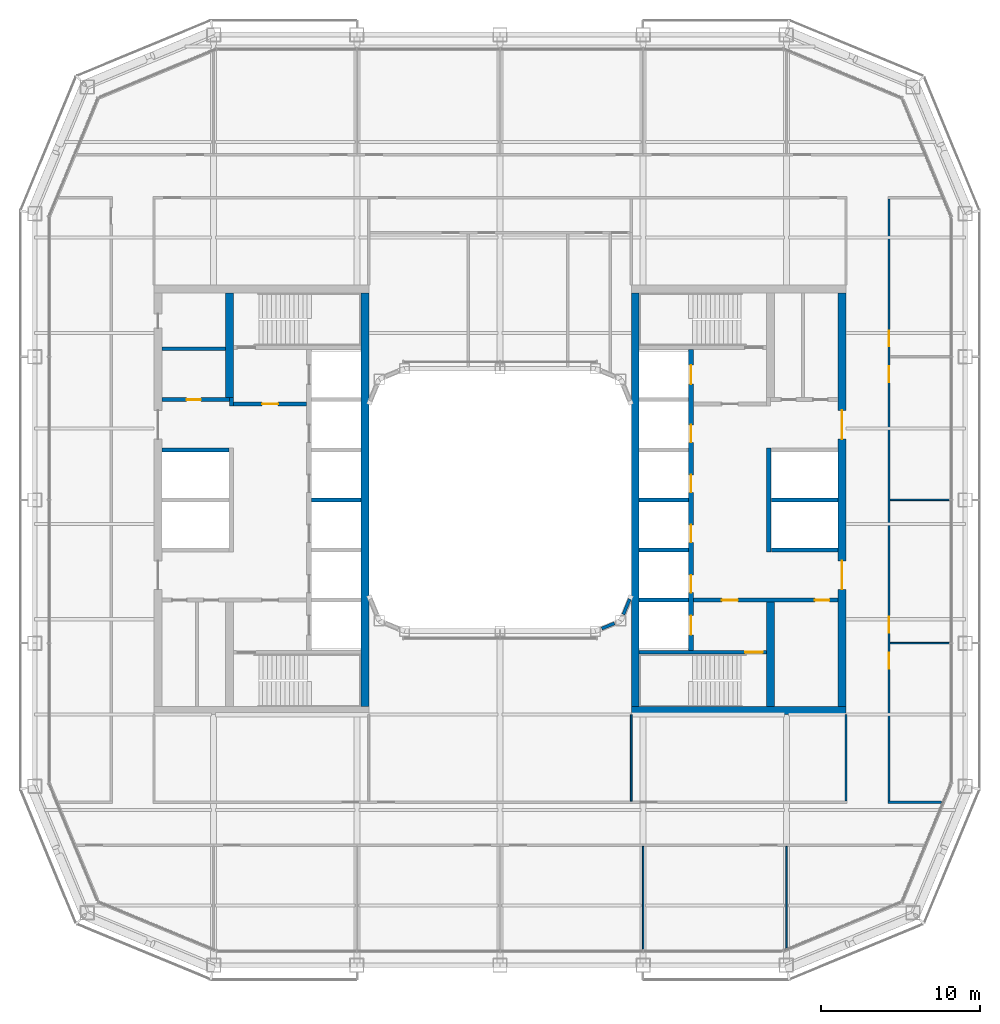
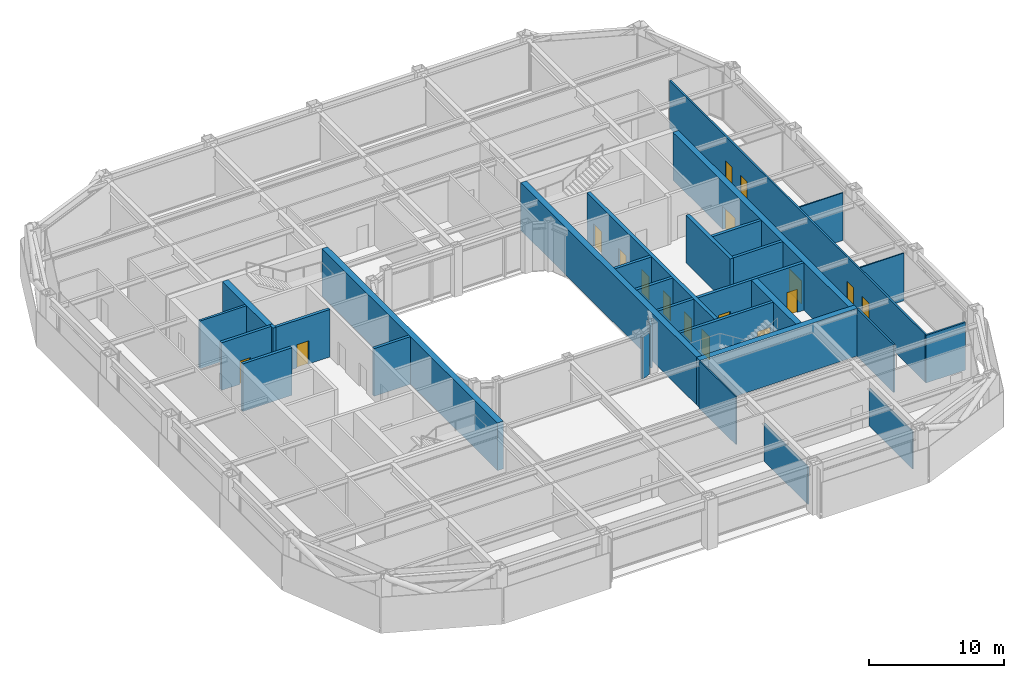
# One storey, part 12 of 21: 31 walls, 17 doors, 17 openings.
"""IFC4 building model written with IfcOpenShell, lengths in metres."""

from ifc_helpers import new_model, si_unit, direction, frame, frame_2d, origin, place, context, subcontext, project, spatial, rectangle, extrude, material, layer, layer_set, type_object, element, fill, save


model = new_model("IFC4")

# Units and contexts
model_context = context("Model", 3, precision=1e-05, world=origin(), true_north=direction((0.0, 1.0)))
body_context = subcontext(model_context, "Body", "Model", "MODEL_VIEW")
ifc_project = project(units=[si_unit("LENGTHUNIT", "METRE"), si_unit("AREAUNIT", "SQUARE_METRE"), si_unit("VOLUMEUNIT", "CUBIC_METRE"), si_unit("PLANEANGLEUNIT", "RADIAN"), si_unit("MASSUNIT", "GRAM", prefix="KILO")], contexts=[model_context])

# Site, building, storey
site_placement = place(None, origin())
site = spatial("IfcSite", under=ifc_project, at=site_placement, CompositionType="ELEMENT")
building_placement = place(site_placement, origin())
building = spatial("IfcBuilding", under=site, at=building_placement, Name="Siwar Civic Tower", CompositionType="ELEMENT")
storey_placement = place(building_placement, frame((0.0, 0.0, 176.699951171875)))
storey = spatial("IfcBuildingStorey", under=building, at=storey_placement, Name="L38", CompositionType="ELEMENT", Elevation=176.699951171875)

# Wall
ifc_material_1 = material(Name="Gypsum board on steel studs", Category="steel")
ifc_layer_1 = layer(ifc_material_1, 0.199951171875)
ifc_layer_set_1 = layer_set([ifc_layer_1], Name="Gypsum board on steel studs")
wall_type_1 = type_object("IfcWallType", Name="CORE-PARTITION-200", PredefinedType="PARTITIONING", material=ifc_layer_set_1)
wall_1_placement = place(storey_placement, frame((-17.25, 9.5, 0.0), z_axis=(0.0, 0.0, 1.0), x_axis=(-1.0, 0.0, 0.0)))
element("IfcWall", 1, at=wall_1_placement, inside=storey, type_object=wall_type_1, Name="Core partition W", PredefinedType="PARTITIONING", context=body_context, shape_type="SweptSolid", body=[
    extrude(rectangle(XDim=4.0, YDim=0.199951171875, at=frame_2d((2.0, 0.0))), origin(), (0.0, 0.0, 1.0), 4.300048828125),
])

# Wall, opening, door
ifc_material_2 = material(Name="Concrete C60/75", Category="concrete")
ifc_layer_2 = layer(ifc_material_2, 0.25)
ifc_layer_set_2 = layer_set([ifc_layer_2], Name="Concrete C60/75")
wall_type_2 = type_object("IfcWallType", Name="CORE-WALL-RC250", PredefinedType="SHEAR", material=ifc_layer_set_2)
wall_2_placement = place(storey_placement, frame((-12.14990234375, 6.02490234375, 0.0), z_axis=(0.0, 0.0, 1.0), x_axis=(-1.0, 0.0, 0.0)))
wall_2 = element("IfcWall", 2, at=wall_2_placement, inside=storey, type_object=wall_type_2, Name="Core wall W", PredefinedType="SHEAR", context=body_context, shape_type="SweptSolid", body=[
    extrude(rectangle(XDim=4.60009765625, YDim=0.25, at=frame_2d((2.300048828125, 0.0))), origin(), (0.0, 0.0, 1.0), 4.300048828125),
])
opening_1_placement = place(wall_2_placement, frame((1.800048828125, 0.0, 0.0)))
opening_1 = element("IfcOpeningElement", 3, at=opening_1_placement, cuts=wall_2, Name="Opening L38-CW01", PredefinedType="OPENING", context=body_context, shape_type="SweptSolid", body=[
    extrude(rectangle(XDim=1.0, YDim=2.10009765625, at=frame_2d((0.5, 1.050048828125))), frame((0.0, 0.135009765625, 0.0), z_axis=(0.0, -1.0, 0.0), x_axis=(1.0, 0.0, 0.0)), (0.0, 0.0, 1.0), 0.27001953125),
])
ifc_material_3 = material(Name="Steel door leaf", Category="steel")
door_type_1 = type_object("IfcDoorType", Name="CORE-DOOR-FD30S", OperationType="SINGLE_SWING_LEFT", PredefinedType="DOOR", material=ifc_material_3)
door_1_placement = place(opening_1_placement, origin())
door_1 = element("IfcDoor", 4, at=door_1_placement, inside=storey, type_object=door_type_1, Name="Firefighting lobby door L38-CW01", OperationType="SINGLE_SWING_LEFT", OverallHeight=2.10009765625, OverallWidth=1.0, PredefinedType="DOOR", context=body_context, shape_type="SweptSolid", body=[
    extrude(rectangle(XDim=1.0, YDim=2.10009765625, at=frame_2d((0.5, 1.050048828125))), frame((0.0, 0.02490234375, 0.0), z_axis=(0.0, -1.0, 0.0), x_axis=(1.0, 0.0, 0.0)), (0.0, 0.0, 1.0), 0.050048828125),
])
fill(opening_1, door_1)

# Wall
wall_3_placement = place(storey_placement, frame((-16.875, 5.89990234375, 0.0), z_axis=(0.0, 0.0, 1.0), x_axis=(0.0, 1.0, 0.0)))
element("IfcWall", 5, at=wall_3_placement, inside=storey, type_object=wall_type_2, Name="Core wall W", PredefinedType="SHEAR", context=body_context, shape_type="SweptSolid", body=[
    extrude(rectangle(XDim=0.525146484375, YDim=0.25, at=frame_2d((0.2626953125, 0.0))), origin(), (0.0, 0.0, 1.0), 4.300048828125),
])

# Wall, opening, door
wall_4_placement = place(storey_placement, frame((-17.0, 6.300048828125, 0.0), z_axis=(0.0, 0.0, 1.0), x_axis=(-1.0, 0.0, 0.0)))
wall_4 = element("IfcWall", 6, at=wall_4_placement, inside=storey, type_object=wall_type_2, Name="Core wall W", PredefinedType="SHEAR", context=body_context, shape_type="SweptSolid", body=[
    extrude(rectangle(XDim=4.25, YDim=0.25, at=frame_2d((2.125, 0.0))), origin(), (0.0, 0.0, 1.0), 4.300048828125),
])
opening_2_placement = place(wall_4_placement, frame((1.800048828125, 0.0, 0.0)))
opening_2 = element("IfcOpeningElement", 7, at=opening_2_placement, cuts=wall_4, Name="Opening L38-CW13", PredefinedType="OPENING", context=body_context, shape_type="SweptSolid", body=[
    extrude(rectangle(XDim=0.89990234375, YDim=2.10009765625, at=frame_2d((0.449951171875, 1.050048828125))), frame((0.0, 0.135009765625, 0.0), z_axis=(0.0, -1.0, 0.0), x_axis=(1.0, 0.0, 0.0)), (0.0, 0.0, 1.0), 0.27001953125),
])
ifc_material_4 = material(Name="Steel door leaf", Category="steel")
door_type_2 = type_object("IfcDoorType", Name="CORE-DOOR-ROOM", OperationType="SINGLE_SWING_LEFT", PredefinedType="DOOR", material=ifc_material_4)
door_2_placement = place(opening_2_placement, origin())
door_2 = element("IfcDoor", 8, at=door_2_placement, inside=storey, type_object=door_type_2, Name="Core room door L38-CW13", OperationType="SINGLE_SWING_LEFT", OverallHeight=2.10009765625, OverallWidth=0.89990234375, PredefinedType="DOOR", context=body_context, shape_type="SweptSolid", body=[
    extrude(rectangle(XDim=0.89990234375, YDim=2.10009765625, at=frame_2d((0.449951171875, 1.050048828125))), frame((0.0, 0.02490234375, 0.0), z_axis=(0.0, -1.0, 0.0), x_axis=(1.0, 0.0, 0.0)), (0.0, 0.0, 1.0), 0.050048828125),
])
fill(opening_2, door_2)

# Walls
wall_5_placement = place(storey_placement, frame((-17.050048828125, 3.14990234375, 0.0), z_axis=(0.0, 0.0, 1.0), x_axis=(-1.0, 0.0, 0.0)))
element("IfcWall", 9, at=wall_5_placement, inside=storey, type_object=wall_type_2, Name="Core wall W", PredefinedType="SHEAR", context=body_context, shape_type="SweptSolid", body=[
    extrude(rectangle(XDim=4.199951171875, YDim=0.25, at=frame_2d((2.10009765625, 0.0))), origin(), (0.0, 0.0, 1.0), 4.300048828125),
])
wall_6_placement = place(storey_placement, frame((-8.75, 0.0, 0.0), z_axis=(0.0, 0.0, 1.0), x_axis=(-1.0, 0.0, 0.0)))
element("IfcWall", 10, at=wall_6_placement, inside=storey, type_object=wall_type_2, Name="Core wall W", PredefinedType="SHEAR", context=body_context, shape_type="SweptSolid", body=[
    extrude(rectangle(XDim=3.10009765625, YDim=0.25, at=frame_2d((1.550048828125, 0.0))), origin(), (0.0, 0.0, 1.0), 4.300048828125),
])

# Wall, openings, doors
wall_7_placement = place(storey_placement, frame((12.14990234375, -6.300048828125, 0.0), z_axis=(0.0, 0.0, 1.0), x_axis=(1.0, 0.0, 0.0)))
wall_7 = element("IfcWall", 11, at=wall_7_placement, inside=storey, type_object=wall_type_2, Name="Core wall E", PredefinedType="SHEAR", context=body_context, shape_type="SweptSolid", body=[
    extrude(rectangle(XDim=9.10009765625, YDim=0.25, at=frame_2d((4.550048828125, 0.0))), origin(), (0.0, 0.0, 1.0), 4.300048828125),
])
opening_3_placement = place(wall_7_placement, frame((1.800048828125, 0.0, 0.0)))
opening_3 = element("IfcOpeningElement", 12, at=opening_3_placement, cuts=wall_7, Name="Opening L38-CE02", PredefinedType="OPENING", context=body_context, shape_type="SweptSolid", body=[
    extrude(rectangle(XDim=1.0, YDim=2.10009765625, at=frame_2d((0.5, 1.050048828125))), frame((0.0, 0.135009765625, 0.0), z_axis=(0.0, -1.0, 0.0), x_axis=(1.0, 0.0, 0.0)), (0.0, 0.0, 1.0), 0.27001953125),
])
opening_4_placement = place(wall_7_placement, frame((7.64990234375, 0.0, 0.0)))
opening_4 = element("IfcOpeningElement", 13, at=opening_4_placement, cuts=wall_7, Name="Opening L38-CE15", PredefinedType="OPENING", context=body_context, shape_type="SweptSolid", body=[
    extrude(rectangle(XDim=0.89990234375, YDim=2.10009765625, at=frame_2d((0.449951171875, 1.050048828125))), frame((0.0, 0.135009765625, 0.0), z_axis=(0.0, -1.0, 0.0), x_axis=(1.0, 0.0, 0.0)), (0.0, 0.0, 1.0), 0.27001953125),
])
door_3_placement = place(opening_3_placement, origin())
door_3 = element("IfcDoor", 14, at=door_3_placement, inside=storey, type_object=door_type_1, Name="Service lobby door L38-CE02", OperationType="SINGLE_SWING_LEFT", OverallHeight=2.10009765625, OverallWidth=1.0, PredefinedType="DOOR", context=body_context, shape_type="SweptSolid", body=[
    extrude(rectangle(XDim=1.0, YDim=2.10009765625, at=frame_2d((0.5, 1.050048828125))), frame((0.0, 0.02490234375, 0.0), z_axis=(0.0, -1.0, 0.0), x_axis=(1.0, 0.0, 0.0)), (0.0, 0.0, 1.0), 0.050048828125),
])
fill(opening_3, door_3)
door_4_placement = place(opening_4_placement, origin())
door_4 = element("IfcDoor", 15, at=door_4_placement, inside=storey, type_object=door_type_2, Name="Core room door L38-CE15", OperationType="SINGLE_SWING_RIGHT", OverallHeight=2.10009765625, OverallWidth=0.89990234375, PredefinedType="DOOR", context=body_context, shape_type="SweptSolid", body=[
    extrude(rectangle(XDim=0.89990234375, YDim=2.10009765625, at=frame_2d((0.449951171875, 1.050048828125))), frame((0.0, 0.02490234375, 0.0), z_axis=(0.0, -1.0, 0.0), x_axis=(1.0, 0.0, 0.0)), (0.0, 0.0, 1.0), 0.050048828125),
])
fill(opening_4, door_4)

# Walls
for number, where, z_axis, x_axis, name in (
    (16, (17.050048828125, 0.0, 0.0), (0.0, 0.0, 1.0), (1.0, 0.0, 0.0), "Core wall E"),
    (17, (17.050048828125, -3.14990234375, 0.0), (0.0, 0.0, 1.0), (1.0, 0.0, 0.0), "Core wall E"),
):
    element("IfcWall", number, at=place(storey_placement, frame(where, z_axis=z_axis, x_axis=x_axis)), inside=storey, type_object=wall_type_2, Name=name, PredefinedType="SHEAR", context=body_context, shape_type="SweptSolid", body=[
        extrude(rectangle(XDim=4.199951171875, YDim=0.25, at=frame_2d((2.10009765625, 0.0))), origin(), (0.0, 0.0, 1.0), 4.300048828125),
    ])
for number, where, z_axis, x_axis, name in (
    (18, (8.75, 0.0, 0.0), (0.0, 0.0, 1.0), (1.0, 0.0, 0.0), "Core wall E"),
    (19, (8.75, -3.14990234375, 0.0), (0.0, 0.0, 1.0), (1.0, 0.0, 0.0), "Core wall E"),
    (20, (8.75, -6.300048828125, 0.0), (0.0, 0.0, 1.0), (1.0, 0.0, 0.0), "Core wall E"),
):
    element("IfcWall", number, at=place(storey_placement, frame(where, z_axis=z_axis, x_axis=x_axis)), inside=storey, type_object=wall_type_2, Name=name, PredefinedType="SHEAR", context=body_context, shape_type="SweptSolid", body=[
        extrude(rectangle(XDim=3.10009765625, YDim=0.25, at=frame_2d((1.550048828125, 0.0))), origin(), (0.0, 0.0, 1.0), 4.300048828125),
    ])

# Wall, opening, door
wall_8_placement = place(storey_placement, frame((8.75, -9.574951171875, 0.0), z_axis=(0.0, 0.0, 1.0), x_axis=(1.0, 0.0, 0.0)))
wall_8 = element("IfcWall", 21, at=wall_8_placement, inside=storey, type_object=wall_type_2, Name="Core wall E", PredefinedType="SHEAR", context=body_context, shape_type="SweptSolid", body=[
    extrude(rectangle(XDim=8.0, YDim=0.25, at=frame_2d((4.0, 0.0))), origin(), (0.0, 0.0, 1.0), 4.300048828125),
])
opening_5_placement = place(wall_8_placement, frame((6.64990234375, 0.0, 0.0)))
opening_5 = element("IfcOpeningElement", 22, at=opening_5_placement, cuts=wall_8, Name="Opening L38-CE04", PredefinedType="OPENING", context=body_context, shape_type="SweptSolid", body=[
    extrude(rectangle(XDim=1.10009765625, YDim=2.10009765625, at=frame_2d((0.550048828125, 1.050048828125))), frame((0.0, 0.135009765625, 0.0), z_axis=(0.0, -1.0, 0.0), x_axis=(1.0, 0.0, 0.0)), (0.0, 0.0, 1.0), 0.27001953125),
])
ifc_material_5 = material(Name="Steel door leaf", Category="steel")
door_type_3 = type_object("IfcDoorType", Name="CORE-DOOR-FD60S", OperationType="SINGLE_SWING_LEFT", PredefinedType="DOOR", material=ifc_material_5)
door_5_placement = place(opening_5_placement, origin())
door_5 = element("IfcDoor", 23, at=door_5_placement, inside=storey, type_object=door_type_3, Name="Stair door L38-CE04", OperationType="SINGLE_SWING_RIGHT", OverallHeight=2.10009765625, OverallWidth=1.10009765625, PredefinedType="DOOR", context=body_context, shape_type="SweptSolid", body=[
    extrude(rectangle(XDim=1.10009765625, YDim=2.10009765625, at=frame_2d((0.550048828125, 1.050048828125))), frame((0.0, 0.02490234375, 0.0), z_axis=(0.0, -1.0, 0.0), x_axis=(1.0, 0.0, 0.0)), (0.0, 0.0, 1.0), 0.050048828125),
])
fill(opening_5, door_5)

# Wall, openings, doors
ifc_material_6 = material(Name="Concrete C60/75", Category="concrete")
ifc_layer_3 = layer(ifc_material_6, 0.300048828125)
ifc_layer_set_3 = layer_set([ifc_layer_3], Name="Concrete C60/75")
wall_type_3 = type_object("IfcWallType", Name="CORE-WALL-RC300", PredefinedType="SHEAR", material=ifc_layer_set_3)
wall_9_placement = place(storey_placement, frame((12.0, -9.449951171875, 0.0), z_axis=(0.0, 0.0, 1.0), x_axis=(0.0, 1.0, 0.0)))
wall_9 = element("IfcWall", 24, at=wall_9_placement, inside=storey, type_object=wall_type_3, Name="Core wall E", PredefinedType="SHEAR", context=body_context, shape_type="SweptSolid", body=[
    extrude(rectangle(XDim=18.89990234375, YDim=0.300048828125, at=frame_2d((9.449951171875, 0.0))), origin(), (0.0, 0.0, 1.0), 4.300048828125),
])
opening_6_placement = place(wall_9_placement, frame((3.625, 0.0, 0.0)))
opening_6 = element("IfcOpeningElement", 25, at=opening_6_placement, cuts=wall_9, Name="Opening L38-CE07", PredefinedType="OPENING", context=body_context, shape_type="SweptSolid", body=[
    extrude(rectangle(XDim=1.10009765625, YDim=2.10009765625, at=frame_2d((0.550048828125, 1.050048828125))), frame((0.0, 0.16015625, 0.0), z_axis=(0.0, -1.0, 0.0), x_axis=(1.0, 0.0, 0.0)), (0.0, 0.0, 1.0), 0.320068359375),
])
opening_7_placement = place(wall_9_placement, frame((6.77490234375, 0.0, 0.0)))
opening_7 = element("IfcOpeningElement", 26, at=opening_7_placement, cuts=wall_9, Name="Opening L38-CE08", PredefinedType="OPENING", context=body_context, shape_type="SweptSolid", body=[
    extrude(rectangle(XDim=1.10009765625, YDim=2.10009765625, at=frame_2d((0.550048828125, 1.050048828125))), frame((0.0, 0.16015625, 0.0), z_axis=(0.0, -1.0, 0.0), x_axis=(1.0, 0.0, 0.0)), (0.0, 0.0, 1.0), 0.320068359375),
])
opening_8_placement = place(wall_9_placement, frame((9.925048828125, 0.0, 0.0)))
opening_8 = element("IfcOpeningElement", 27, at=opening_8_placement, cuts=wall_9, Name="Opening L38-CE09", PredefinedType="OPENING", context=body_context, shape_type="SweptSolid", body=[
    extrude(rectangle(XDim=1.10009765625, YDim=2.10009765625, at=frame_2d((0.550048828125, 1.050048828125))), frame((0.0, 0.16015625, 0.0), z_axis=(0.0, -1.0, 0.0), x_axis=(1.0, 0.0, 0.0)), (0.0, 0.0, 1.0), 0.320068359375),
])
opening_9_placement = place(wall_9_placement, frame((13.074951171875, 0.0, 0.0)))
opening_9 = element("IfcOpeningElement", 28, at=opening_9_placement, cuts=wall_9, Name="Opening L38-CE10", PredefinedType="OPENING", context=body_context, shape_type="SweptSolid", body=[
    extrude(rectangle(XDim=1.10009765625, YDim=2.10009765625, at=frame_2d((0.550048828125, 1.050048828125))), frame((0.0, 0.16015625, 0.0), z_axis=(0.0, -1.0, 0.0), x_axis=(1.0, 0.0, 0.0)), (0.0, 0.0, 1.0), 0.320068359375),
])
opening_10_placement = place(wall_9_placement, frame((16.72509765625, 0.0, 0.0)))
opening_10 = element("IfcOpeningElement", 29, at=opening_10_placement, cuts=wall_9, Name="Opening L38-CE11", PredefinedType="OPENING", context=body_context, shape_type="SweptSolid", body=[
    extrude(rectangle(XDim=1.199951171875, YDim=2.10009765625, at=frame_2d((0.60009765625, 1.050048828125))), frame((0.0, 0.16015625, 0.0), z_axis=(0.0, -1.0, 0.0), x_axis=(1.0, 0.0, 0.0)), (0.0, 0.0, 1.0), 0.320068359375),
])
opening_11_placement = place(wall_9_placement, frame((0.97509765625, 0.0, 0.0)))
opening_11 = element("IfcOpeningElement", 30, at=opening_11_placement, cuts=wall_9, Name="Opening L38-CE12", PredefinedType="OPENING", context=body_context, shape_type="SweptSolid", body=[
    extrude(rectangle(XDim=1.199951171875, YDim=2.10009765625, at=frame_2d((0.60009765625, 1.050048828125))), frame((0.0, 0.16015625, 0.0), z_axis=(0.0, -1.0, 0.0), x_axis=(1.0, 0.0, 0.0)), (0.0, 0.0, 1.0), 0.320068359375),
])
ifc_material_7 = material(Name="Steel door leaf", Category="steel")
door_type_4 = type_object("IfcDoorType", Name="CORE-DOOR-LD", OperationType="DOUBLE_DOOR_SLIDING", PredefinedType="DOOR", material=ifc_material_7)
door_6_placement = place(opening_6_placement, origin())
door_6 = element("IfcDoor", 31, at=door_6_placement, inside=storey, type_object=door_type_4, Name="Landing door LR5 L38-CE07", OperationType="DOUBLE_DOOR_SLIDING", OverallHeight=2.10009765625, OverallWidth=1.10009765625, PredefinedType="DOOR", context=body_context, shape_type="SweptSolid", body=[
    extrude(rectangle(XDim=1.10009765625, YDim=2.10009765625, at=frame_2d((0.550048828125, 1.050048828125))), frame((0.0, 0.02490234375, 0.0), z_axis=(0.0, -1.0, 0.0), x_axis=(1.0, 0.0, 0.0)), (0.0, 0.0, 1.0), 0.050048828125),
])
fill(opening_6, door_6)
door_7_placement = place(opening_7_placement, origin())
door_7 = element("IfcDoor", 32, at=door_7_placement, inside=storey, type_object=door_type_4, Name="Landing door LR6 L38-CE08", OperationType="DOUBLE_DOOR_SLIDING", OverallHeight=2.10009765625, OverallWidth=1.10009765625, PredefinedType="DOOR", context=body_context, shape_type="SweptSolid", body=[
    extrude(rectangle(XDim=1.10009765625, YDim=2.10009765625, at=frame_2d((0.550048828125, 1.050048828125))), frame((0.0, 0.02490234375, 0.0), z_axis=(0.0, -1.0, 0.0), x_axis=(1.0, 0.0, 0.0)), (0.0, 0.0, 1.0), 0.050048828125),
])
fill(opening_7, door_7)
door_8_placement = place(opening_8_placement, origin())
door_8 = element("IfcDoor", 33, at=door_8_placement, inside=storey, type_object=door_type_4, Name="Landing door LR7 L38-CE09", OperationType="DOUBLE_DOOR_SLIDING", OverallHeight=2.10009765625, OverallWidth=1.10009765625, PredefinedType="DOOR", context=body_context, shape_type="SweptSolid", body=[
    extrude(rectangle(XDim=1.10009765625, YDim=2.10009765625, at=frame_2d((0.550048828125, 1.050048828125))), frame((0.0, 0.02490234375, 0.0), z_axis=(0.0, -1.0, 0.0), x_axis=(1.0, 0.0, 0.0)), (0.0, 0.0, 1.0), 0.050048828125),
])
fill(opening_8, door_8)
door_9_placement = place(opening_9_placement, origin())
door_9 = element("IfcDoor", 34, at=door_9_placement, inside=storey, type_object=door_type_4, Name="Landing door LR8 L38-CE10", OperationType="DOUBLE_DOOR_SLIDING", OverallHeight=2.10009765625, OverallWidth=1.10009765625, PredefinedType="DOOR", context=body_context, shape_type="SweptSolid", body=[
    extrude(rectangle(XDim=1.10009765625, YDim=2.10009765625, at=frame_2d((0.550048828125, 1.050048828125))), frame((0.0, 0.02490234375, 0.0), z_axis=(0.0, -1.0, 0.0), x_axis=(1.0, 0.0, 0.0)), (0.0, 0.0, 1.0), 0.050048828125),
])
fill(opening_9, door_9)
ifc_material_8 = material(Name="Steel door leaf", Category="steel")
door_type_5 = type_object("IfcDoorType", Name="CORE-DOOR-LDW", OperationType="DOUBLE_DOOR_SLIDING", PredefinedType="DOOR", material=ifc_material_8)
door_10_placement = place(opening_10_placement, origin())
door_10 = element("IfcDoor", 35, at=door_10_placement, inside=storey, type_object=door_type_5, Name="Landing door FF2 L38-CE11", OperationType="DOUBLE_DOOR_SLIDING", OverallHeight=2.10009765625, OverallWidth=1.199951171875, PredefinedType="DOOR", context=body_context, shape_type="SweptSolid", body=[
    extrude(rectangle(XDim=1.199951171875, YDim=2.10009765625, at=frame_2d((0.60009765625, 1.050048828125))), frame((0.0, 0.02490234375, 0.0), z_axis=(0.0, -1.0, 0.0), x_axis=(1.0, 0.0, 0.0)), (0.0, 0.0, 1.0), 0.050048828125),
])
fill(opening_10, door_10)
door_11_placement = place(opening_11_placement, origin())
door_11 = element("IfcDoor", 36, at=door_11_placement, inside=storey, type_object=door_type_5, Name="Landing door SV2 L38-CE12", OperationType="DOUBLE_DOOR_SLIDING", OverallHeight=2.10009765625, OverallWidth=1.199951171875, PredefinedType="DOOR", context=body_context, shape_type="SweptSolid", body=[
    extrude(rectangle(XDim=1.199951171875, YDim=2.10009765625, at=frame_2d((0.60009765625, 1.050048828125))), frame((0.0, 0.02490234375, 0.0), z_axis=(0.0, -1.0, 0.0), x_axis=(1.0, 0.0, 0.0)), (0.0, 0.0, 1.0), 0.050048828125),
])
fill(opening_11, door_11)

# Walls
wall_10_placement = place(storey_placement, frame((16.89990234375, -3.27490234375, 0.0), z_axis=(0.0, 0.0, 1.0), x_axis=(0.0, 1.0, 0.0)))
element("IfcWall", 37, at=wall_10_placement, inside=storey, type_object=wall_type_3, Name="Core wall E", PredefinedType="SHEAR", context=body_context, shape_type="SweptSolid", body=[
    extrude(rectangle(XDim=6.5498046875, YDim=0.300048828125, at=frame_2d((3.27490234375, 0.0))), origin(), (0.0, 0.0, 1.0), 4.300048828125),
])
ifc_material_9 = material(Name="Concrete C60/75", Category="concrete")
ifc_layer_4 = layer(ifc_material_9, 0.5)
ifc_layer_set_4 = layer_set([ifc_layer_4], Name="Concrete C60/75")
wall_type_4 = type_object("IfcWallType", Name="CORE-WALL-RC500", PredefinedType="SHEAR", material=ifc_layer_set_4)
wall_11_placement = place(storey_placement, frame((-17.0, 6.425048828125, 0.0), z_axis=(0.0, 0.0, 1.0), x_axis=(0.0, 1.0, 0.0)))
element("IfcWall", 38, at=wall_11_placement, inside=storey, type_object=wall_type_4, Name="Core wall W", PredefinedType="SHEAR", context=body_context, shape_type="SweptSolid", body=[
    extrude(rectangle(XDim=6.574951171875, YDim=0.5, at=frame_2d((3.28759765625, 0.0))), origin(), (0.0, 0.0, 1.0), 4.300048828125),
])

# Wall, openings, doors
wall_12_placement = place(storey_placement, frame((21.5, -13.0, 0.0), z_axis=(0.0, 0.0, 1.0), x_axis=(0.0, 1.0, 0.0)))
wall_12 = element("IfcWall", 39, at=wall_12_placement, inside=storey, type_object=wall_type_4, Name="Core wall E", PredefinedType="SHEAR", context=body_context, shape_type="SweptSolid", body=[
    extrude(rectangle(XDim=26.0, YDim=0.5, at=frame_2d((13.0, 0.0))), origin(), (0.0, 0.0, 1.0), 4.300048828125),
])
opening_12_placement = place(wall_12_placement, frame((16.824951171875, 0.0, 0.0)))
opening_12 = element("IfcOpeningElement", 40, at=opening_12_placement, cuts=wall_12, Name="Opening L38-CE05", PredefinedType="OPENING", context=body_context, shape_type="SweptSolid", body=[
    extrude(rectangle(XDim=1.800048828125, YDim=2.10009765625, at=frame_2d((0.89990234375, 1.050048828125))), frame((0.0, 0.260009765625, 0.0), z_axis=(0.0, -1.0, 0.0), x_axis=(1.0, 0.0, 0.0)), (0.0, 0.0, 1.0), 0.52001953125),
])
opening_13_placement = place(wall_12_placement, frame((7.375, 0.0, 0.0)))
opening_13 = element("IfcOpeningElement", 41, at=opening_13_placement, cuts=wall_12, Name="Opening L38-CE06", PredefinedType="OPENING", context=body_context, shape_type="SweptSolid", body=[
    extrude(rectangle(XDim=1.800048828125, YDim=2.10009765625, at=frame_2d((0.89990234375, 1.050048828125))), frame((0.0, 0.260009765625, 0.0), z_axis=(0.0, -1.0, 0.0), x_axis=(1.0, 0.0, 0.0)), (0.0, 0.0, 1.0), 0.52001953125),
])
ifc_material_10 = material(Name="Steel door leaf", Category="steel")
door_type_6 = type_object("IfcDoorType", Name="CORE-DOOR-PORT", OperationType="DOUBLE_DOOR_DOUBLE_SWING", PredefinedType="DOOR", material=ifc_material_10)
door_12_placement = place(opening_12_placement, origin())
door_12 = element("IfcDoor", 42, at=door_12_placement, inside=storey, type_object=door_type_6, Name="Core entrance door L38-CE05", OperationType="DOUBLE_DOOR_DOUBLE_SWING", OverallHeight=2.10009765625, OverallWidth=1.800048828125, PredefinedType="DOOR", context=body_context, shape_type="SweptSolid", body=[
    extrude(rectangle(XDim=1.800048828125, YDim=2.10009765625, at=frame_2d((0.89990234375, 1.050048828125))), frame((0.0, 0.02490234375, 0.0), z_axis=(0.0, -1.0, 0.0), x_axis=(1.0, 0.0, 0.0)), (0.0, 0.0, 1.0), 0.050048828125),
])
fill(opening_12, door_12)
door_13_placement = place(opening_13_placement, origin())
door_13 = element("IfcDoor", 43, at=door_13_placement, inside=storey, type_object=door_type_6, Name="Core entrance door L38-CE06", OperationType="DOUBLE_DOOR_DOUBLE_SWING", OverallHeight=2.10009765625, OverallWidth=1.800048828125, PredefinedType="DOOR", context=body_context, shape_type="SweptSolid", body=[
    extrude(rectangle(XDim=1.800048828125, YDim=2.10009765625, at=frame_2d((0.89990234375, 1.050048828125))), frame((0.0, 0.02490234375, 0.0), z_axis=(0.0, -1.0, 0.0), x_axis=(1.0, 0.0, 0.0)), (0.0, 0.0, 1.0), 0.050048828125),
])
fill(opening_13, door_13)

# Walls
wall_13_placement = place(storey_placement, frame((17.0, -13.0, 0.0), z_axis=(0.0, 0.0, 1.0), x_axis=(0.0, 1.0, 0.0)))
element("IfcWall", 44, at=wall_13_placement, inside=storey, type_object=wall_type_4, Name="Core wall E", PredefinedType="SHEAR", context=body_context, shape_type="SweptSolid", body=[
    extrude(rectangle(XDim=6.574951171875, YDim=0.5, at=frame_2d((3.28759765625, 0.0))), origin(), (0.0, 0.0, 1.0), 4.300048828125),
])
wall_14_placement = place(storey_placement, frame((8.25, -13.25, 0.0), z_axis=(0.0, 0.0, 1.0), x_axis=(1.0, 0.0, 0.0)))
element("IfcWall", 45, at=wall_14_placement, inside=storey, type_object=wall_type_4, Name="Core wall E", PredefinedType="SHEAR", context=body_context, shape_type="SweptSolid", body=[
    extrude(rectangle(XDim=13.5, YDim=0.5, at=frame_2d((6.75, 0.0))), origin(), (0.0, 0.0, 1.0), 4.300048828125),
])
ifc_material_11 = material(Name="Concrete C60/75", Category="concrete")
ifc_layer_5 = layer(ifc_material_11, 0.5)
ifc_layer_set_5 = layer_set([ifc_layer_5], Name="Concrete C60/75")
wall_type_5 = type_object("IfcWallType", Name="CORE-WALL-RC500-EXT", PredefinedType="SHEAR", material=ifc_layer_set_5)
for number, where, z_axis, x_axis, name in (
    (46, (-8.5, -13.0, 0.0), (0.0, 0.0, 1.0), (0.0, 1.0, 0.0), "Core wall W"),
    (47, (8.5, -13.0, 0.0), (0.0, 0.0, 1.0), (0.0, 1.0, 0.0), "Core wall E"),
):
    element("IfcWall", number, at=place(storey_placement, frame(where, z_axis=z_axis, x_axis=x_axis)), inside=storey, type_object=wall_type_5, Name=name, PredefinedType="SHEAR", context=body_context, shape_type="SweptSolid", body=[
        extrude(rectangle(XDim=26.0, YDim=0.5, at=frame_2d((13.0, 0.0))), origin(), (0.0, 0.0, 1.0), 4.300048828125),
    ])
ifc_material_12 = material(Name="Gypsum board on steel studs", Category="steel")
ifc_layer_6 = layer(ifc_material_12, 0.14990234375)
ifc_layer_set_6 = layer_set([ifc_layer_6], Name="Gypsum board on steel studs")
wall_type_6 = type_object("IfcWallType", Name="CORRIDOR PARTITION 150 EI 30", PredefinedType="PARTITIONING", material=ifc_layer_set_6)
wall_15_placement = place(storey_placement, frame((24.375, -19.0, 0.0), z_axis=(0.0, 0.0, 1.0), x_axis=(1.0, 0.0, 0.0)))
element("IfcWall", 48, at=wall_15_placement, inside=storey, type_object=wall_type_6, Name="L38/wall/P04", PredefinedType="PARTITIONING", context=body_context, shape_type="SweptSolid", body=[
    extrude(rectangle(XDim=3.388916015625, YDim=0.14990234375, at=frame_2d((1.6943359375, 0.0))), origin(), (0.0, 0.0, 1.0), 4.300048828125),
])
wall_16_placement = place(storey_placement, frame((21.75, -18.925048828125, 0.0), z_axis=(0.0, 0.0, 1.0), x_axis=(0.0, 1.0, 0.0)))
element("IfcWall", 49, at=wall_16_placement, inside=storey, type_object=wall_type_6, Name="L38/wall/P35", PredefinedType="PARTITIONING", context=body_context, shape_type="SweptSolid", body=[
    extrude(rectangle(XDim=5.425048828125, YDim=0.14990234375, at=frame_2d((2.71240234375, 0.0))), origin(), (0.0, 0.0, 1.0), 4.300048828125),
])

# Wall, openings, doors
wall_17_placement = place(storey_placement, frame((24.449951171875, -18.925048828125, 0.0), z_axis=(0.0, 0.0, 1.0), x_axis=(0.0, 1.0, 0.0)))
wall_17 = element("IfcWall", 50, at=wall_17_placement, inside=storey, type_object=wall_type_6, Name="L38/wall/P37", PredefinedType="PARTITIONING", context=body_context, shape_type="SweptSolid", body=[
    extrude(rectangle(XDim=37.85009765625, YDim=0.14990234375, at=frame_2d((18.925048828125, 0.0))), origin(), (0.0, 0.0, 1.0), 4.300048828125),
])
opening_14_placement = place(wall_17_placement, frame((8.324951171875, 0.0, 0.0)))
opening_14 = element("IfcOpeningElement", 51, at=opening_14_placement, cuts=wall_17, Name="Opening D1", PredefinedType="OPENING", context=body_context, shape_type="SweptSolid", body=[
    extrude(rectangle(XDim=1.0, YDim=2.10009765625, at=frame_2d((0.5, 1.050048828125))), frame((0.0, 0.0849609375, 0.0), z_axis=(0.0, -1.0, 0.0), x_axis=(1.0, 0.0, 0.0)), (0.0, 0.0, 1.0), 0.169921875),
])
opening_15_placement = place(wall_17_placement, frame((10.574951171875, 0.0, 0.0)))
opening_15 = element("IfcOpeningElement", 52, at=opening_15_placement, cuts=wall_17, Name="Opening D1", PredefinedType="OPENING", context=body_context, shape_type="SweptSolid", body=[
    extrude(rectangle(XDim=1.0, YDim=2.10009765625, at=frame_2d((0.5, 1.050048828125))), frame((0.0, 0.0849609375, 0.0), z_axis=(0.0, -1.0, 0.0), x_axis=(1.0, 0.0, 0.0)), (0.0, 0.0, 1.0), 0.169921875),
])
opening_16_placement = place(wall_17_placement, frame((26.324951171875, 0.0, 0.0)))
opening_16 = element("IfcOpeningElement", 53, at=opening_16_placement, cuts=wall_17, Name="Opening D1", PredefinedType="OPENING", context=body_context, shape_type="SweptSolid", body=[
    extrude(rectangle(XDim=1.0, YDim=2.10009765625, at=frame_2d((0.5, 1.050048828125))), frame((0.0, 0.0849609375, 0.0), z_axis=(0.0, -1.0, 0.0), x_axis=(1.0, 0.0, 0.0)), (0.0, 0.0, 1.0), 0.169921875),
])
opening_17_placement = place(wall_17_placement, frame((28.574951171875, 0.0, 0.0)))
opening_17 = element("IfcOpeningElement", 54, at=opening_17_placement, cuts=wall_17, Name="Opening D1", PredefinedType="OPENING", context=body_context, shape_type="SweptSolid", body=[
    extrude(rectangle(XDim=1.0, YDim=2.10009765625, at=frame_2d((0.5, 1.050048828125))), frame((0.0, 0.0849609375, 0.0), z_axis=(0.0, -1.0, 0.0), x_axis=(1.0, 0.0, 0.0)), (0.0, 0.0, 1.0), 0.169921875),
])
ifc_material_13 = material(Name="Timber, painted", Category="wood")
door_type_7 = type_object("IfcDoorType", Name="DOOR 1000 X 2100 FD30", OperationType="SINGLE_SWING_LEFT", PredefinedType="DOOR", material=ifc_material_13)
door_14_placement = place(opening_14_placement, origin())
door_14 = element("IfcDoor", 55, at=door_14_placement, inside=storey, type_object=door_type_7, Name="L38-D24", OperationType="SINGLE_SWING_RIGHT", OverallHeight=2.10009765625, OverallWidth=1.0, PredefinedType="DOOR", context=body_context, shape_type="SweptSolid", body=[
    extrude(rectangle(XDim=1.0, YDim=2.10009765625, at=frame_2d((0.5, 1.050048828125))), frame((0.0, 0.02490234375, 0.0), z_axis=(0.0, -1.0, 0.0), x_axis=(1.0, 0.0, 0.0)), (0.0, 0.0, 1.0), 0.050048828125),
])
fill(opening_14, door_14)
door_15_placement = place(opening_15_placement, origin())
door_15 = element("IfcDoor", 56, at=door_15_placement, inside=storey, type_object=door_type_7, Name="L38-D25", OperationType="SINGLE_SWING_LEFT", OverallHeight=2.10009765625, OverallWidth=1.0, PredefinedType="DOOR", context=body_context, shape_type="SweptSolid", body=[
    extrude(rectangle(XDim=1.0, YDim=2.10009765625, at=frame_2d((0.5, 1.050048828125))), frame((0.0, 0.02490234375, 0.0), z_axis=(0.0, -1.0, 0.0), x_axis=(1.0, 0.0, 0.0)), (0.0, 0.0, 1.0), 0.050048828125),
])
fill(opening_15, door_15)
door_16_placement = place(opening_16_placement, origin())
door_16 = element("IfcDoor", 57, at=door_16_placement, inside=storey, type_object=door_type_7, Name="L38-D26", OperationType="SINGLE_SWING_RIGHT", OverallHeight=2.10009765625, OverallWidth=1.0, PredefinedType="DOOR", context=body_context, shape_type="SweptSolid", body=[
    extrude(rectangle(XDim=1.0, YDim=2.10009765625, at=frame_2d((0.5, 1.050048828125))), frame((0.0, 0.02490234375, 0.0), z_axis=(0.0, -1.0, 0.0), x_axis=(1.0, 0.0, 0.0)), (0.0, 0.0, 1.0), 0.050048828125),
])
fill(opening_16, door_16)
door_17_placement = place(opening_17_placement, origin())
door_17 = element("IfcDoor", 58, at=door_17_placement, inside=storey, type_object=door_type_7, Name="L38-D27", OperationType="SINGLE_SWING_LEFT", OverallHeight=2.10009765625, OverallWidth=1.0, PredefinedType="DOOR", context=body_context, shape_type="SweptSolid", body=[
    extrude(rectangle(XDim=1.0, YDim=2.10009765625, at=frame_2d((0.5, 1.050048828125))), frame((0.0, 0.02490234375, 0.0), z_axis=(0.0, -1.0, 0.0), x_axis=(1.0, 0.0, 0.0)), (0.0, 0.0, 1.0), 0.050048828125),
])
fill(opening_17, door_17)

# Walls
ifc_material_14 = material(Name="Aluminium clad insulated panel", Category="aluminium")
ifc_layer_7 = layer(ifc_material_14, 0.199951171875)
ifc_layer_set_7 = layer_set([ifc_layer_7], Name="Aluminium clad insulated panel")
wall_type_7 = type_object("IfcWallType", Name="ENV-WALL-WELL", PredefinedType="STANDARD", material=ifc_layer_set_7)
wall_18_placement = place(storey_placement, frame((6.392333984375, -8.08740234375, 0.0), z_axis=(0.0, 0.0, 1.0), x_axis=(0.923894108428, 0.382648241093, 0.0)))
element("IfcWall", 59, at=wall_18_placement, inside=storey, type_object=wall_type_7, Name="Light well corner wall SE1", PredefinedType="STANDARD", context=body_context, shape_type="SweptSolid", body=[
    extrude(rectangle(XDim=0.872802734375, YDim=0.199951171875, at=frame_2d((0.4365234375, 0.0))), origin(), (0.0, 0.0, 1.0), 3.776123046875),
])
wall_19_placement = place(storey_placement, frame((7.75341796875, -7.19873046875, 0.0), z_axis=(0.0, 0.0, 1.0), x_axis=(0.382694858887, 0.923874799408, 0.0)))
element("IfcWall", 60, at=wall_19_placement, inside=storey, type_object=wall_type_7, Name="Light well corner wall SE2", PredefinedType="STANDARD", context=body_context, shape_type="SweptSolid", body=[
    extrude(rectangle(XDim=1.047607421875, YDim=0.199951171875, at=frame_2d((0.52392578125, 0.0))), origin(), (0.0, 0.0, 1.0), 3.776123046875),
])
ifc_material_15 = material(Name="Gypsum board on steel studs", Category="steel")
ifc_layer_8 = layer(ifc_material_15, 0.10009765625)
ifc_layer_set_8 = layer_set([ifc_layer_8], Name="Gypsum board on steel studs")
wall_type_8 = type_object("IfcWallType", Name="PARTITION 100 GYPSUM", PredefinedType="PARTITIONING", material=ifc_layer_set_8)
for number, where, z_axis, x_axis, name in (
    (61, (24.52490234375, -9.0, 0.0), (0.0, 0.0, 1.0), (1.0, 0.0, 0.0), "L38/wall/P05"),
    (62, (24.52490234375, 0.0, 0.0), (0.0, 0.0, 1.0), (1.0, 0.0, 0.0), "L38/wall/P06"),
):
    element("IfcWall", number, at=place(storey_placement, frame(where, z_axis=z_axis, x_axis=x_axis)), inside=storey, type_object=wall_type_8, Name=name, PredefinedType="PARTITIONING", context=body_context, shape_type="SweptSolid", body=[
        extrude(rectangle(XDim=3.735107421875, YDim=0.10009765625, at=frame_2d((1.86767578125, 0.0))), origin(), (0.0, 0.0, 1.0), 4.300048828125),
    ])
wall_20_placement = place(storey_placement, frame((8.25, -18.925048828125, 0.0), z_axis=(0.0, 0.0, 1.0), x_axis=(0.0, 1.0, 0.0)))
element("IfcWall", 63, at=wall_20_placement, inside=storey, type_object=wall_type_8, Name="L38/wall/P28", PredefinedType="PARTITIONING", context=body_context, shape_type="SweptSolid", body=[
    extrude(rectangle(XDim=5.425048828125, YDim=0.10009765625, at=frame_2d((2.71240234375, 0.0))), origin(), (0.0, 0.0, 1.0), 4.300048828125),
])
wall_21_placement = place(storey_placement, frame((9.0, -28.260009765625, 0.0), z_axis=(0.0, 0.0, 1.0), x_axis=(0.0, 1.0, 0.0)))
element("IfcWall", 64, at=wall_21_placement, inside=storey, type_object=wall_type_8, Name="L38/wall/P31", PredefinedType="PARTITIONING", context=body_context, shape_type="SweptSolid", body=[
    extrude(rectangle(XDim=6.485107421875, YDim=0.10009765625, at=frame_2d((3.24267578125, 0.0))), origin(), (0.0, 0.0, 1.0), 3.400146484375),
])
wall_22_placement = place(storey_placement, frame((18.0, -28.177978515625, 0.0), z_axis=(0.0, 0.0, 1.0), x_axis=(0.0, 1.0, 0.0)))
element("IfcWall", 65, at=wall_22_placement, inside=storey, type_object=wall_type_8, Name="L38/wall/P33", PredefinedType="PARTITIONING", context=body_context, shape_type="SweptSolid", body=[
    extrude(rectangle(XDim=6.403076171875, YDim=0.10009765625, at=frame_2d((3.20166015625, 0.0))), origin(), (0.0, 0.0, 1.0), 3.400146484375),
])

save(model, "model.ifc")
